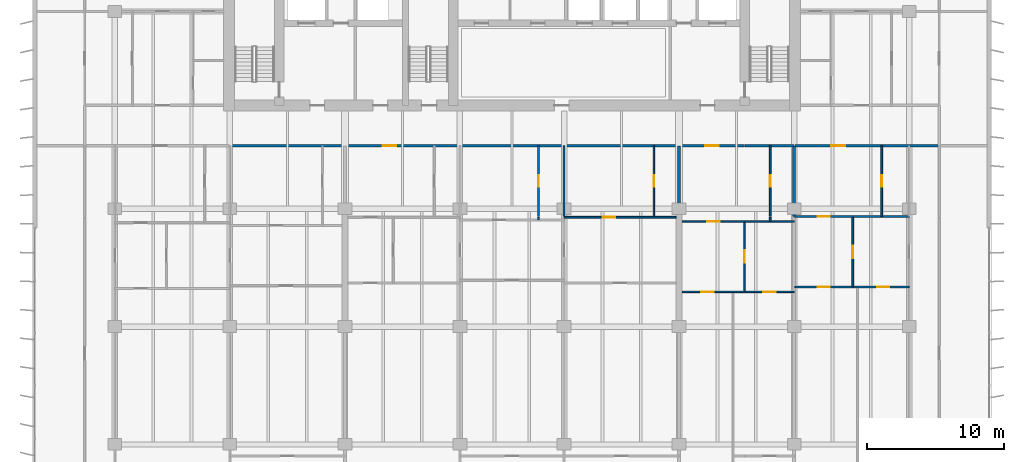
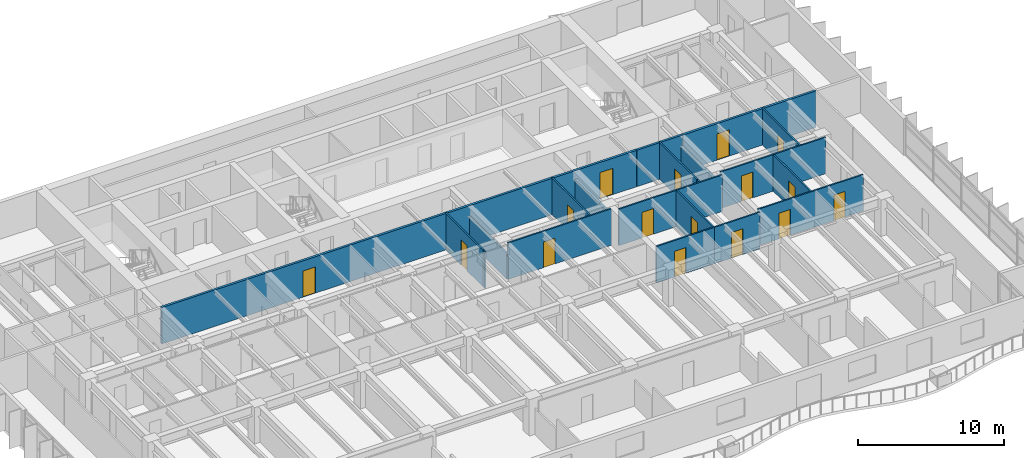
# One storey, part 8 of 15: 21 walls, 16 doors, 16 openings.
"""IFC4 building model written with IfcOpenShell, lengths in metres."""

from ifc_helpers import new_model, si_unit, direction, frame, frame_2d, origin, place, context, subcontext, project, spatial, rectangle, extrude, material, layer, layer_set, type_object, element, fill, save


model = new_model("IFC4")

# Units and contexts
model_context = context("Model", 3, precision=1e-05, world=origin(), true_north=direction((0.0, 1.0)))
body_context = subcontext(model_context, "Body", "Model", "MODEL_VIEW")
ifc_project = project(units=[si_unit("LENGTHUNIT", "METRE"), si_unit("AREAUNIT", "SQUARE_METRE"), si_unit("VOLUMEUNIT", "CUBIC_METRE"), si_unit("PLANEANGLEUNIT", "RADIAN"), si_unit("MASSUNIT", "GRAM", prefix="KILO")], contexts=[model_context])

# Site, building, storey
site_placement = place(None, origin())
site = spatial("IfcSite", under=ifc_project, at=site_placement, CompositionType="ELEMENT")
building_placement = place(site_placement, origin())
building = spatial("IfcBuilding", under=site, at=building_placement, Name="Caelmar Bay Residences", CompositionType="ELEMENT")
storey_placement = place(building_placement, frame((0.0, 0.0, 132.300048828125)))
storey = spatial("IfcBuildingStorey", under=building, at=storey_placement, Name="L36", CompositionType="ELEMENT", Elevation=132.300048828125)

# Wall, openings, doors
ifc_material_1 = material(Name="Double-stud acoustic fire-rated gypsum partition 180 mm")
ifc_layer_1 = layer(ifc_material_1, 0.179931640625)
ifc_layer_set_1 = layer_set([ifc_layer_1], Name="Double-stud acoustic fire-rated gypsum partition 180 mm")
wall_type_1 = type_object("IfcWallType", Name="W-COR-200", PredefinedType="PARTITIONING", material=ifc_layer_set_1)
wall_1_placement = place(storey_placement, frame((18.300048828125, 34.0, 0.0), z_axis=(0.0, 0.0, 1.0), x_axis=(1.0, 0.0, 0.0)))
wall_1 = element("IfcWall", 1, at=wall_1_placement, inside=storey, type_object=wall_type_1, Name="L36 Partition Wall H094", PredefinedType="PARTITIONING", context=body_context, shape_type="SweptSolid", body=[
    extrude(rectangle(XDim=37.5859375, YDim=0.179931640625, at=frame_2d((18.79296875, 0.0))), origin(), (0.0, 0.0, 1.0), 3.050048828125),
])
opening_1_placement = place(wall_1_placement, frame((11.16162109375, 0.0, 0.0)))
opening_1 = element("IfcOpeningElement", 2, at=opening_1_placement, cuts=wall_1, Name="Opening D-L36-131", PredefinedType="OPENING", context=body_context, shape_type="SweptSolid", body=[
    extrude(rectangle(XDim=1.0, YDim=2.199951171875, at=frame_2d((0.5, 1.10009765625))), frame((0.0, 0.099853515625, 0.0), z_axis=(0.0, -1.0, 0.0), x_axis=(1.0, 0.0, 0.0)), (0.0, 0.0, 1.0), 0.199951171875),
])
opening_2_placement = place(wall_1_placement, frame((34.693115234375, 0.0, 0.0)))
opening_2 = element("IfcOpeningElement", 3, at=opening_2_placement, cuts=wall_1, Name="Opening D-L36-146", PredefinedType="OPENING", context=body_context, shape_type="SweptSolid", body=[
    extrude(rectangle(XDim=1.0, YDim=2.199951171875, at=frame_2d((0.5, 1.10009765625))), frame((0.0, 0.099853515625, 0.0), z_axis=(0.0, -1.0, 0.0), x_axis=(1.0, 0.0, 0.0)), (0.0, 0.0, 1.0), 0.199951171875),
])
ifc_material_2 = material(Name="Fire-rated steel and walnut architectural door assembly", Category="steel")
ifc_layer_2 = layer(ifc_material_2, 0.050048828125)
ifc_layer_set_2 = layer_set([ifc_layer_2], Name="Fire-rated steel and walnut architectural door assembly")
door_type_1 = type_object("IfcDoorType", Name="D-UNIT-1000", OperationType="NOTDEFINED", PredefinedType="DOOR", material=ifc_layer_set_2)
door_1_placement = place(opening_1_placement, origin())
door_1 = element("IfcDoor", 4, at=door_1_placement, inside=storey, type_object=door_type_1, Name="L36 Residence 02 Apartment Hall Door", OperationType="SINGLE_SWING_RIGHT", OverallHeight=2.199951171875, OverallWidth=1.0, PredefinedType="DOOR", context=body_context, shape_type="SweptSolid", body=[
    extrude(rectangle(XDim=1.0, YDim=2.199951171875, at=frame_2d((0.5, 1.10009765625))), frame((0.0, 0.02490234375, 0.0), z_axis=(0.0, -1.0, 0.0), x_axis=(1.0, 0.0, 0.0)), (0.0, 0.0, 1.0), 0.050048828125),
])
fill(opening_1, door_1)
door_2_placement = place(opening_2_placement, origin())
door_2 = element("IfcDoor", 5, at=door_2_placement, inside=storey, type_object=door_type_1, Name="L36 Residence 03 Apartment Hall Door", OperationType="SINGLE_SWING_LEFT", OverallHeight=2.199951171875, OverallWidth=1.0, PredefinedType="DOOR", context=body_context, shape_type="SweptSolid", body=[
    extrude(rectangle(XDim=1.0, YDim=2.199951171875, at=frame_2d((0.5, 1.10009765625))), frame((0.0, 0.02490234375, 0.0), z_axis=(0.0, -1.0, 0.0), x_axis=(1.0, 0.0, 0.0)), (0.0, 0.0, 1.0), 0.050048828125),
])
fill(opening_2, door_2)

# Wall
wall_2_placement = place(storey_placement, frame((55.89990234375, 34.0, 0.0), z_axis=(0.0, 0.0, 1.0), x_axis=(1.0, 0.0, 0.0)))
element("IfcWall", 6, at=wall_2_placement, inside=storey, type_object=wall_type_1, Name="L36 Partition Wall H095", PredefinedType="PARTITIONING", context=body_context, shape_type="SweptSolid", body=[
    extrude(rectangle(XDim=3.60009765625, YDim=0.179931640625, at=frame_2d((1.800048828125, 0.0))), origin(), (0.0, 0.0, 1.0), 3.050048828125),
])

# Wall, opening, door
wall_3_placement = place(storey_placement, frame((59.550048828125, 34.0, 0.0), z_axis=(0.0, 0.0, 1.0), x_axis=(1.0, 0.0, 0.0)))
wall_3 = element("IfcWall", 7, at=wall_3_placement, inside=storey, type_object=wall_type_1, Name="L36 Partition Wall H096", PredefinedType="PARTITIONING", context=body_context, shape_type="SweptSolid", body=[
    extrude(rectangle(XDim=10.550048828125, YDim=0.179931640625, at=frame_2d((5.27490234375, 0.0))), origin(), (0.0, 0.0, 1.0), 3.050048828125),
])
opening_3_placement = place(wall_3_placement, frame((2.677001953125, 0.0, 0.0)))
opening_3 = element("IfcOpeningElement", 8, at=opening_3_placement, cuts=wall_3, Name="Opening D-L36-153", PredefinedType="OPENING", context=body_context, shape_type="SweptSolid", body=[
    extrude(rectangle(XDim=1.0, YDim=2.199951171875, at=frame_2d((0.5, 1.10009765625))), frame((0.0, 0.099853515625, 0.0), z_axis=(0.0, -1.0, 0.0), x_axis=(1.0, 0.0, 0.0)), (0.0, 0.0, 1.0), 0.199951171875),
])
door_3_placement = place(opening_3_placement, origin())
door_3 = element("IfcDoor", 9, at=door_3_placement, inside=storey, type_object=door_type_1, Name="L36 Residence 04 Apartment Hall Door", OperationType="SINGLE_SWING_RIGHT", OverallHeight=2.199951171875, OverallWidth=1.0, PredefinedType="DOOR", context=body_context, shape_type="SweptSolid", body=[
    extrude(rectangle(XDim=1.0, YDim=2.199951171875, at=frame_2d((0.5, 1.10009765625))), frame((0.0, 0.02490234375, 0.0), z_axis=(0.0, -1.0, 0.0), x_axis=(1.0, 0.0, 0.0)), (0.0, 0.0, 1.0), 0.050048828125),
])
fill(opening_3, door_3)

# Wall
ifc_material_3 = material(Name="Acoustic metal-stud gypsum partition 120 mm")
ifc_layer_3 = layer(ifc_material_3, 0.1201171875)
ifc_layer_set_3 = layer_set([ifc_layer_3], Name="Acoustic metal-stud gypsum partition 120 mm")
wall_type_2 = type_object("IfcWallType", Name="W-PRT-120", PredefinedType="PARTITIONING", material=ifc_layer_set_3)
wall_4_placement = place(storey_placement, frame((40.8369140625, 28.580078125, 0.0), z_axis=(0.0, 0.0, 1.0), x_axis=(0.0, 1.0, 0.0)))
element("IfcWall", 10, at=wall_4_placement, inside=storey, type_object=wall_type_2, Name="L36 Partition Wall V033", PredefinedType="PARTITIONING", context=body_context, shape_type="SweptSolid", body=[
    extrude(rectangle(XDim=0.199951171875, YDim=0.1201171875, at=frame_2d((0.10009765625, 0.0))), origin(), (0.0, 0.0, 1.0), 3.050048828125),
])

# Wall, opening, door
wall_5_placement = place(storey_placement, frame((40.8369140625, 28.840087890625, 0.0), z_axis=(0.0, 0.0, 1.0), x_axis=(0.0, 1.0, 0.0)))
wall_5 = element("IfcWall", 11, at=wall_5_placement, inside=storey, type_object=wall_type_2, Name="L36 Partition Wall V034", PredefinedType="PARTITIONING", context=body_context, shape_type="SweptSolid", body=[
    extrude(rectangle(XDim=5.159912109375, YDim=0.1201171875, at=frame_2d((2.580078125, 0.0))), origin(), (0.0, 0.0, 1.0), 3.050048828125),
])
opening_4_placement = place(wall_5_placement, frame((2.155029296875, 0.0, 0.0)))
opening_4 = element("IfcOpeningElement", 12, at=opening_4_placement, cuts=wall_5, Name="Opening D-L36-138", PredefinedType="OPENING", context=body_context, shape_type="SweptSolid", body=[
    extrude(rectangle(XDim=0.85009765625, YDim=2.10009765625, at=frame_2d((0.425048828125, 1.050048828125))), frame((0.0, 0.070068359375, 0.0), z_axis=(0.0, -1.0, 0.0), x_axis=(1.0, 0.0, 0.0)), (0.0, 0.0, 1.0), 0.14013671875),
])
ifc_material_4 = material(Name="Solid walnut timber interior door leaf and frame", Category="wood")
ifc_layer_4 = layer(ifc_material_4, 0.050048828125)
ifc_layer_set_4 = layer_set([ifc_layer_4], Name="Solid walnut timber interior door leaf and frame")
door_type_2 = type_object("IfcDoorType", Name="D-BATH-850", OperationType="NOTDEFINED", PredefinedType="DOOR", material=ifc_layer_set_4)
door_4_placement = place(opening_4_placement, origin())
door_4 = element("IfcDoor", 13, at=door_4_placement, inside=storey, type_object=door_type_2, Name="L36 Residence 02 En-Suite Bathroom 1 Door", OperationType="SINGLE_SWING_LEFT", OverallHeight=2.10009765625, OverallWidth=0.85009765625, PredefinedType="DOOR", context=body_context, shape_type="SweptSolid", body=[
    extrude(rectangle(XDim=0.85009765625, YDim=2.10009765625, at=frame_2d((0.425048828125, 1.050048828125))), frame((0.0, 0.02490234375, 0.0), z_axis=(0.0, -1.0, 0.0), x_axis=(1.0, 0.0, 0.0)), (0.0, 0.0, 1.0), 0.050048828125),
])
fill(opening_4, door_4)

# Wall
wall_6_placement = place(storey_placement, frame((42.699951171875, 28.840087890625, 0.0), z_axis=(0.0, 0.0, 1.0), x_axis=(0.0, 1.0, 0.0)))
element("IfcWall", 14, at=wall_6_placement, inside=storey, type_object=wall_type_2, Name="L36 Partition Wall V037", PredefinedType="PARTITIONING", context=body_context, shape_type="SweptSolid", body=[
    extrude(rectangle(XDim=5.159912109375, YDim=0.1201171875, at=frame_2d((2.580078125, 0.0))), origin(), (0.0, 0.0, 1.0), 2.174072265625),
])

# Wall, opening, door
wall_7_placement = place(storey_placement, frame((49.260986328125, 28.840087890625, 0.0), z_axis=(0.0, 0.0, 1.0), x_axis=(0.0, 1.0, 0.0)))
wall_7 = element("IfcWall", 15, at=wall_7_placement, inside=storey, type_object=wall_type_2, Name="L36 Partition Wall V041", PredefinedType="PARTITIONING", context=body_context, shape_type="SweptSolid", body=[
    extrude(rectangle(XDim=5.159912109375, YDim=0.1201171875, at=frame_2d((2.580078125, 0.0))), origin(), (0.0, 0.0, 1.0), 3.050048828125),
])
opening_5_placement = place(wall_7_placement, frame((2.155029296875, 0.0, 0.0)))
opening_5 = element("IfcOpeningElement", 16, at=opening_5_placement, cuts=wall_7, Name="Opening D-L36-143", PredefinedType="OPENING", context=body_context, shape_type="SweptSolid", body=[
    extrude(rectangle(XDim=0.85009765625, YDim=2.10009765625, at=frame_2d((0.425048828125, 1.050048828125))), frame((0.0, 0.070068359375, 0.0), z_axis=(0.0, -1.0, 0.0), x_axis=(1.0, 0.0, 0.0)), (0.0, 0.0, 1.0), 0.14013671875),
])
door_5_placement = place(opening_5_placement, origin())
door_5 = element("IfcDoor", 17, at=door_5_placement, inside=storey, type_object=door_type_2, Name="L36 Residence 02 En-Suite Bathroom 2 Door", OperationType="SINGLE_SWING_RIGHT", OverallHeight=2.10009765625, OverallWidth=0.85009765625, PredefinedType="DOOR", context=body_context, shape_type="SweptSolid", body=[
    extrude(rectangle(XDim=0.85009765625, YDim=2.10009765625, at=frame_2d((0.425048828125, 1.050048828125))), frame((0.0, 0.02490234375, 0.0), z_axis=(0.0, -1.0, 0.0), x_axis=(1.0, 0.0, 0.0)), (0.0, 0.0, 1.0), 0.050048828125),
])
fill(opening_5, door_5)

wall_8_placement = place(storey_placement, frame((55.885986328125, 23.330078125, 0.0), z_axis=(0.0, 0.0, 1.0), x_axis=(0.0, 1.0, 0.0)))
wall_8 = element("IfcWall", 18, at=wall_8_placement, inside=storey, type_object=wall_type_2, Name="L36 Partition Wall V050", PredefinedType="PARTITIONING", context=body_context, shape_type="SweptSolid", body=[
    extrude(rectangle(XDim=5.14990234375, YDim=0.1201171875, at=frame_2d((2.574951171875, 0.0))), origin(), (0.0, 0.0, 1.0), 3.050048828125),
])
opening_6_placement = place(wall_8_placement, frame((2.125, 0.0, 0.0)))
opening_6 = element("IfcOpeningElement", 19, at=opening_6_placement, cuts=wall_8, Name="Opening D-L36-149", PredefinedType="OPENING", context=body_context, shape_type="SweptSolid", body=[
    extrude(rectangle(XDim=0.89990234375, YDim=2.14990234375, at=frame_2d((0.449951171875, 1.074951171875))), frame((0.0, 0.070068359375, 0.0), z_axis=(0.0, -1.0, 0.0), x_axis=(1.0, 0.0, 0.0)), (0.0, 0.0, 1.0), 0.14013671875),
])
ifc_layer_5 = layer(ifc_material_4, 0.050048828125)
ifc_layer_set_5 = layer_set([ifc_layer_5], Name="Solid walnut timber interior door leaf and frame")
door_type_3 = type_object("IfcDoorType", Name="D-ROOM-900", OperationType="NOTDEFINED", PredefinedType="DOOR", material=ifc_layer_set_5)
door_6_placement = place(opening_6_placement, origin())
door_6 = element("IfcDoor", 20, at=door_6_placement, inside=storey, type_object=door_type_3, Name="L36 Residence 03 Private Reception Salon Door", OperationType="SINGLE_SWING_RIGHT", OverallHeight=2.14990234375, OverallWidth=0.89990234375, PredefinedType="DOOR", context=body_context, shape_type="SweptSolid", body=[
    extrude(rectangle(XDim=0.89990234375, YDim=2.14990234375, at=frame_2d((0.449951171875, 1.074951171875))), frame((0.0, 0.02490234375, 0.0), z_axis=(0.0, -1.0, 0.0), x_axis=(1.0, 0.0, 0.0)), (0.0, 0.0, 1.0), 0.050048828125),
])
fill(opening_6, door_6)

# Wall
wall_9_placement = place(storey_placement, frame((57.760986328125, 28.47998046875, 0.0), z_axis=(0.0, 0.0, 1.0), x_axis=(0.0, 1.0, 0.0)))
element("IfcWall", 21, at=wall_9_placement, inside=storey, type_object=wall_type_2, Name="L36 Partition Wall V052", PredefinedType="PARTITIONING", context=body_context, shape_type="SweptSolid", body=[
    extrude(rectangle(XDim=0.300048828125, YDim=0.1201171875, at=frame_2d((0.14990234375, 0.0))), origin(), (0.0, 0.0, 1.0), 3.050048828125),
])

# Wall, opening, door
wall_10_placement = place(storey_placement, frame((57.760986328125, 28.840087890625, 0.0), z_axis=(0.0, 0.0, 1.0), x_axis=(0.0, 1.0, 0.0)))
wall_10 = element("IfcWall", 22, at=wall_10_placement, inside=storey, type_object=wall_type_2, Name="L36 Partition Wall V053", PredefinedType="PARTITIONING", context=body_context, shape_type="SweptSolid", body=[
    extrude(rectangle(XDim=5.159912109375, YDim=0.1201171875, at=frame_2d((2.580078125, 0.0))), origin(), (0.0, 0.0, 1.0), 3.050048828125),
])
opening_7_placement = place(wall_10_placement, frame((2.155029296875, 0.0, 0.0)))
opening_7 = element("IfcOpeningElement", 23, at=opening_7_placement, cuts=wall_10, Name="Opening D-L36-147", PredefinedType="OPENING", context=body_context, shape_type="SweptSolid", body=[
    extrude(rectangle(XDim=0.85009765625, YDim=2.10009765625, at=frame_2d((0.425048828125, 1.050048828125))), frame((0.0, 0.070068359375, 0.0), z_axis=(0.0, -1.0, 0.0), x_axis=(1.0, 0.0, 0.0)), (0.0, 0.0, 1.0), 0.14013671875),
])
door_7_placement = place(opening_7_placement, origin())
door_7 = element("IfcDoor", 24, at=door_7_placement, inside=storey, type_object=door_type_2, Name="L36 Residence 03 Bathroom Door", OperationType="SINGLE_SWING_RIGHT", OverallHeight=2.10009765625, OverallWidth=0.85009765625, PredefinedType="DOOR", context=body_context, shape_type="SweptSolid", body=[
    extrude(rectangle(XDim=0.85009765625, YDim=2.10009765625, at=frame_2d((0.425048828125, 1.050048828125))), frame((0.0, 0.02490234375, 0.0), z_axis=(0.0, -1.0, 0.0), x_axis=(1.0, 0.0, 0.0)), (0.0, 0.0, 1.0), 0.050048828125),
])
fill(opening_7, door_7)

wall_11_placement = place(storey_placement, frame((63.785888671875, 23.68994140625, 0.0), z_axis=(0.0, 0.0, 1.0), x_axis=(0.0, 1.0, 0.0)))
wall_11 = element("IfcWall", 25, at=wall_11_placement, inside=storey, type_object=wall_type_2, Name="L36 Partition Wall V058", PredefinedType="PARTITIONING", context=body_context, shape_type="SweptSolid", body=[
    extrude(rectangle(XDim=5.090087890625, YDim=0.1201171875, at=frame_2d((2.544921875, 0.0))), origin(), (0.0, 0.0, 1.0), 3.050048828125),
])
opening_8_placement = place(wall_11_placement, frame((2.094970703125, 0.0, 0.0)))
opening_8 = element("IfcOpeningElement", 26, at=opening_8_placement, cuts=wall_11, Name="Opening D-L36-156", PredefinedType="OPENING", context=body_context, shape_type="SweptSolid", body=[
    extrude(rectangle(XDim=0.89990234375, YDim=2.14990234375, at=frame_2d((0.449951171875, 1.074951171875))), frame((0.0, 0.070068359375, 0.0), z_axis=(0.0, -1.0, 0.0), x_axis=(1.0, 0.0, 0.0)), (0.0, 0.0, 1.0), 0.14013671875),
])
door_8_placement = place(opening_8_placement, origin())
door_8 = element("IfcDoor", 27, at=door_8_placement, inside=storey, type_object=door_type_3, Name="L36 Residence 04 Private Reception Salon Door", OperationType="SINGLE_SWING_LEFT", OverallHeight=2.14990234375, OverallWidth=0.89990234375, PredefinedType="DOOR", context=body_context, shape_type="SweptSolid", body=[
    extrude(rectangle(XDim=0.89990234375, YDim=2.14990234375, at=frame_2d((0.449951171875, 1.074951171875))), frame((0.0, 0.02490234375, 0.0), z_axis=(0.0, -1.0, 0.0), x_axis=(1.0, 0.0, 0.0)), (0.0, 0.0, 1.0), 0.050048828125),
])
fill(opening_8, door_8)

wall_12_placement = place(storey_placement, frame((65.904052734375, 28.840087890625, 0.0), z_axis=(0.0, 0.0, 1.0), x_axis=(0.0, 1.0, 0.0)))
wall_12 = element("IfcWall", 28, at=wall_12_placement, inside=storey, type_object=wall_type_2, Name="L36 Partition Wall V061", PredefinedType="PARTITIONING", context=body_context, shape_type="SweptSolid", body=[
    extrude(rectangle(XDim=5.159912109375, YDim=0.1201171875, at=frame_2d((2.580078125, 0.0))), origin(), (0.0, 0.0, 1.0), 3.050048828125),
])
opening_9_placement = place(wall_12_placement, frame((2.155029296875, 0.0, 0.0)))
opening_9 = element("IfcOpeningElement", 29, at=opening_9_placement, cuts=wall_12, Name="Opening D-L36-154", PredefinedType="OPENING", context=body_context, shape_type="SweptSolid", body=[
    extrude(rectangle(XDim=0.85009765625, YDim=2.10009765625, at=frame_2d((0.425048828125, 1.050048828125))), frame((0.0, 0.070068359375, 0.0), z_axis=(0.0, -1.0, 0.0), x_axis=(1.0, 0.0, 0.0)), (0.0, 0.0, 1.0), 0.14013671875),
])
door_9_placement = place(opening_9_placement, origin())
door_9 = element("IfcDoor", 30, at=door_9_placement, inside=storey, type_object=door_type_2, Name="L36 Residence 04 Bathroom Door", OperationType="SINGLE_SWING_LEFT", OverallHeight=2.10009765625, OverallWidth=0.85009765625, PredefinedType="DOOR", context=body_context, shape_type="SweptSolid", body=[
    extrude(rectangle(XDim=0.85009765625, YDim=2.10009765625, at=frame_2d((0.425048828125, 1.050048828125))), frame((0.0, 0.02490234375, 0.0), z_axis=(0.0, -1.0, 0.0), x_axis=(1.0, 0.0, 0.0)), (0.0, 0.0, 1.0), 0.050048828125),
])
fill(opening_9, door_9)

wall_13_placement = place(storey_placement, frame((51.320068359375, 23.330078125, 0.0), z_axis=(0.0, 0.0, 1.0), x_axis=(1.0, 0.0, 0.0)))
wall_13 = element("IfcWall", 31, at=wall_13_placement, inside=storey, type_object=wall_type_2, Name="L36 Partition Wall H076", PredefinedType="PARTITIONING", context=body_context, shape_type="SweptSolid", body=[
    extrude(rectangle(XDim=4.56591796875, YDim=0.1201171875, at=frame_2d((2.282958984375, 0.0))), origin(), (0.0, 0.0, 1.0), 3.050048828125),
])
opening_10_placement = place(wall_13_placement, frame((1.4140625, 0.0, 0.0)))
opening_10 = element("IfcOpeningElement", 32, at=opening_10_placement, cuts=wall_13, Name="Opening D-L36-150", PredefinedType="OPENING", context=body_context, shape_type="SweptSolid", body=[
    extrude(rectangle(XDim=0.89990234375, YDim=2.14990234375, at=frame_2d((0.449951171875, 1.074951171875))), frame((0.0, 0.070068359375, 0.0), z_axis=(0.0, -1.0, 0.0), x_axis=(1.0, 0.0, 0.0)), (0.0, 0.0, 1.0), 0.14013671875),
])
door_10_placement = place(opening_10_placement, origin())
door_10 = element("IfcDoor", 33, at=door_10_placement, inside=storey, type_object=door_type_3, Name="L36 Residence 03 Living Room Door", OperationType="SINGLE_SWING_LEFT", OverallHeight=2.14990234375, OverallWidth=0.89990234375, PredefinedType="DOOR", context=body_context, shape_type="SweptSolid", body=[
    extrude(rectangle(XDim=0.89990234375, YDim=2.14990234375, at=frame_2d((0.449951171875, 1.074951171875))), frame((0.0, 0.02490234375, 0.0), z_axis=(0.0, -1.0, 0.0), x_axis=(1.0, 0.0, 0.0)), (0.0, 0.0, 1.0), 0.050048828125),
])
fill(opening_10, door_10)

wall_14_placement = place(storey_placement, frame((55.89990234375, 23.330078125, 0.0), z_axis=(0.0, 0.0, 1.0), x_axis=(1.0, 0.0, 0.0)))
wall_14 = element("IfcWall", 34, at=wall_14_placement, inside=storey, type_object=wall_type_2, Name="L36 Partition Wall H077", PredefinedType="PARTITIONING", context=body_context, shape_type="SweptSolid", body=[
    extrude(rectangle(XDim=3.60009765625, YDim=0.1201171875, at=frame_2d((1.800048828125, 0.0))), origin(), (0.0, 0.0, 1.0), 3.050048828125),
])
opening_11_placement = place(wall_14_placement, frame((1.35009765625, 0.0, 0.0)))
opening_11 = element("IfcOpeningElement", 35, at=opening_11_placement, cuts=wall_14, Name="Opening D-L36-151", PredefinedType="OPENING", context=body_context, shape_type="SweptSolid", body=[
    extrude(rectangle(XDim=0.89990234375, YDim=2.14990234375, at=frame_2d((0.449951171875, 1.074951171875))), frame((0.0, 0.070068359375, 0.0), z_axis=(0.0, -1.0, 0.0), x_axis=(1.0, 0.0, 0.0)), (0.0, 0.0, 1.0), 0.14013671875),
])
door_11_placement = place(opening_11_placement, origin())
door_11 = element("IfcDoor", 36, at=door_11_placement, inside=storey, type_object=door_type_3, Name="L36 Residence 03 Penthouse Sitting Room Door", OperationType="SINGLE_SWING_RIGHT", OverallHeight=2.14990234375, OverallWidth=0.89990234375, PredefinedType="DOOR", context=body_context, shape_type="SweptSolid", body=[
    extrude(rectangle(XDim=0.89990234375, YDim=2.14990234375, at=frame_2d((0.449951171875, 1.074951171875))), frame((0.0, 0.02490234375, 0.0), z_axis=(0.0, -1.0, 0.0), x_axis=(1.0, 0.0, 0.0)), (0.0, 0.0, 1.0), 0.050048828125),
])
fill(opening_11, door_11)

# Wall, openings, doors
wall_15_placement = place(storey_placement, frame((59.550048828125, 23.68994140625, 0.0), z_axis=(0.0, 0.0, 1.0), x_axis=(1.0, 0.0, 0.0)))
wall_15 = element("IfcWall", 37, at=wall_15_placement, inside=storey, type_object=wall_type_2, Name="L36 Partition Wall H079", PredefinedType="PARTITIONING", context=body_context, shape_type="SweptSolid", body=[
    extrude(rectangle(XDim=8.349853515625, YDim=0.1201171875, at=frame_2d((4.1748046875, 0.0))), origin(), (0.0, 0.0, 1.0), 3.050048828125),
])
opening_12_placement = place(wall_15_placement, frame((1.66796875, 0.0, 0.0)))
opening_12 = element("IfcOpeningElement", 38, at=opening_12_placement, cuts=wall_15, Name="Opening D-L36-157", PredefinedType="OPENING", context=body_context, shape_type="SweptSolid", body=[
    extrude(rectangle(XDim=0.89990234375, YDim=2.14990234375, at=frame_2d((0.449951171875, 1.074951171875))), frame((0.0, 0.070068359375, 0.0), z_axis=(0.0, -1.0, 0.0), x_axis=(1.0, 0.0, 0.0)), (0.0, 0.0, 1.0), 0.14013671875),
])
opening_13_placement = place(wall_15_placement, frame((6.010009765625, 0.0, 0.0)))
opening_13 = element("IfcOpeningElement", 39, at=opening_13_placement, cuts=wall_15, Name="Opening D-L36-158", PredefinedType="OPENING", context=body_context, shape_type="SweptSolid", body=[
    extrude(rectangle(XDim=0.89990234375, YDim=2.14990234375, at=frame_2d((0.449951171875, 1.074951171875))), frame((0.0, 0.070068359375, 0.0), z_axis=(0.0, -1.0, 0.0), x_axis=(1.0, 0.0, 0.0)), (0.0, 0.0, 1.0), 0.14013671875),
])
door_12_placement = place(opening_12_placement, origin())
door_12 = element("IfcDoor", 40, at=door_12_placement, inside=storey, type_object=door_type_3, Name="L36 Residence 04 Penthouse Living Salon Door", OperationType="SINGLE_SWING_RIGHT", OverallHeight=2.14990234375, OverallWidth=0.89990234375, PredefinedType="DOOR", context=body_context, shape_type="SweptSolid", body=[
    extrude(rectangle(XDim=0.89990234375, YDim=2.14990234375, at=frame_2d((0.449951171875, 1.074951171875))), frame((0.0, 0.02490234375, 0.0), z_axis=(0.0, -1.0, 0.0), x_axis=(1.0, 0.0, 0.0)), (0.0, 0.0, 1.0), 0.050048828125),
])
fill(opening_12, door_12)
door_13_placement = place(opening_13_placement, origin())
door_13 = element("IfcDoor", 41, at=door_13_placement, inside=storey, type_object=door_type_3, Name="L36 Residence 04 Penthouse Sitting Room Door", OperationType="SINGLE_SWING_LEFT", OverallHeight=2.14990234375, OverallWidth=0.89990234375, PredefinedType="DOOR", context=body_context, shape_type="SweptSolid", body=[
    extrude(rectangle(XDim=0.89990234375, YDim=2.14990234375, at=frame_2d((0.449951171875, 1.074951171875))), frame((0.0, 0.02490234375, 0.0), z_axis=(0.0, -1.0, 0.0), x_axis=(1.0, 0.0, 0.0)), (0.0, 0.0, 1.0), 0.050048828125),
])
fill(opening_13, door_13)

# Wall, opening, door
wall_16_placement = place(storey_placement, frame((51.320068359375, 28.47998046875, 0.0), z_axis=(0.0, 0.0, 1.0), x_axis=(1.0, 0.0, 0.0)))
wall_16 = element("IfcWall", 42, at=wall_16_placement, inside=storey, type_object=wall_type_2, Name="L36 Partition Wall H086", PredefinedType="PARTITIONING", context=body_context, shape_type="SweptSolid", body=[
    extrude(rectangle(XDim=4.56591796875, YDim=0.1201171875, at=frame_2d((2.282958984375, 0.0))), origin(), (0.0, 0.0, 1.0), 3.050048828125),
])
opening_14_placement = place(wall_16_placement, frame((1.8330078125, 0.0, 0.0)))
opening_14 = element("IfcOpeningElement", 43, at=opening_14_placement, cuts=wall_16, Name="Opening D-L36-148", PredefinedType="OPENING", context=body_context, shape_type="SweptSolid", body=[
    extrude(rectangle(XDim=0.89990234375, YDim=2.14990234375, at=frame_2d((0.449951171875, 1.074951171875))), frame((0.0, 0.070068359375, 0.0), z_axis=(0.0, -1.0, 0.0), x_axis=(1.0, 0.0, 0.0)), (0.0, 0.0, 1.0), 0.14013671875),
])
door_14_placement = place(opening_14_placement, origin())
door_14 = element("IfcDoor", 44, at=door_14_placement, inside=storey, type_object=door_type_3, Name="L36 Residence 03 Kitchen Door", OperationType="SINGLE_SWING_LEFT", OverallHeight=2.14990234375, OverallWidth=0.89990234375, PredefinedType="DOOR", context=body_context, shape_type="SweptSolid", body=[
    extrude(rectangle(XDim=0.89990234375, YDim=2.14990234375, at=frame_2d((0.449951171875, 1.074951171875))), frame((0.0, 0.02490234375, 0.0), z_axis=(0.0, -1.0, 0.0), x_axis=(1.0, 0.0, 0.0)), (0.0, 0.0, 1.0), 0.050048828125),
])
fill(opening_14, door_14)

# Wall
wall_17_placement = place(storey_placement, frame((55.89990234375, 28.47998046875, 0.0), z_axis=(0.0, 0.0, 1.0), x_axis=(1.0, 0.0, 0.0)))
element("IfcWall", 45, at=wall_17_placement, inside=storey, type_object=wall_type_2, Name="L36 Partition Wall H087", PredefinedType="PARTITIONING", context=body_context, shape_type="SweptSolid", body=[
    extrude(rectangle(XDim=3.60009765625, YDim=0.1201171875, at=frame_2d((1.800048828125, 0.0))), origin(), (0.0, 0.0, 1.0), 3.050048828125),
])

# Wall, opening, door
wall_18_placement = place(storey_placement, frame((42.699951171875, 28.780029296875, 0.0), z_axis=(0.0, 0.0, 1.0), x_axis=(1.0, 0.0, 0.0)))
wall_18 = element("IfcWall", 46, at=wall_18_placement, inside=storey, type_object=wall_type_2, Name="L36 Partition Wall H090", PredefinedType="PARTITIONING", context=body_context, shape_type="SweptSolid", body=[
    extrude(rectangle(XDim=8.179931640625, YDim=0.1201171875, at=frame_2d((4.08984375, 0.0))), origin(), (0.0, 0.0, 1.0), 3.050048828125),
])
opening_15_placement = place(wall_18_placement, frame((2.83056640625, 0.0, 0.0)))
opening_15 = element("IfcOpeningElement", 47, at=opening_15_placement, cuts=wall_18, Name="Opening D-L36-142", PredefinedType="OPENING", context=body_context, shape_type="SweptSolid", body=[
    extrude(rectangle(XDim=0.89990234375, YDim=2.14990234375, at=frame_2d((0.449951171875, 1.074951171875))), frame((0.0, 0.070068359375, 0.0), z_axis=(0.0, -1.0, 0.0), x_axis=(1.0, 0.0, 0.0)), (0.0, 0.0, 1.0), 0.14013671875),
])
door_15_placement = place(opening_15_placement, origin())
door_15 = element("IfcDoor", 48, at=door_15_placement, inside=storey, type_object=door_type_3, Name="L36 Residence 02 Private Reception Room 2 Door", OperationType="SINGLE_SWING_LEFT", OverallHeight=2.14990234375, OverallWidth=0.89990234375, PredefinedType="DOOR", context=body_context, shape_type="SweptSolid", body=[
    extrude(rectangle(XDim=0.89990234375, YDim=2.14990234375, at=frame_2d((0.449951171875, 1.074951171875))), frame((0.0, 0.02490234375, 0.0), z_axis=(0.0, -1.0, 0.0), x_axis=(1.0, 0.0, 0.0)), (0.0, 0.0, 1.0), 0.050048828125),
])
fill(opening_15, door_15)

wall_19_placement = place(storey_placement, frame((59.550048828125, 28.840087890625, 0.0), z_axis=(0.0, 0.0, 1.0), x_axis=(1.0, 0.0, 0.0)))
wall_19 = element("IfcWall", 49, at=wall_19_placement, inside=storey, type_object=wall_type_2, Name="L36 Partition Wall H091", PredefinedType="PARTITIONING", context=body_context, shape_type="SweptSolid", body=[
    extrude(rectangle(XDim=8.349853515625, YDim=0.1201171875, at=frame_2d((4.1748046875, 0.0))), origin(), (0.0, 0.0, 1.0), 3.050048828125),
])
opening_16_placement = place(wall_19_placement, frame((1.66796875, 0.0, 0.0)))
opening_16 = element("IfcOpeningElement", 50, at=opening_16_placement, cuts=wall_19, Name="Opening D-L36-155", PredefinedType="OPENING", context=body_context, shape_type="SweptSolid", body=[
    extrude(rectangle(XDim=0.89990234375, YDim=2.14990234375, at=frame_2d((0.449951171875, 1.074951171875))), frame((0.0, 0.070068359375, 0.0), z_axis=(0.0, -1.0, 0.0), x_axis=(1.0, 0.0, 0.0)), (0.0, 0.0, 1.0), 0.14013671875),
])
door_16_placement = place(opening_16_placement, origin())
door_16 = element("IfcDoor", 51, at=door_16_placement, inside=storey, type_object=door_type_3, Name="L36 Residence 04 Kitchen Door", OperationType="SINGLE_SWING_RIGHT", OverallHeight=2.14990234375, OverallWidth=0.89990234375, PredefinedType="DOOR", context=body_context, shape_type="SweptSolid", body=[
    extrude(rectangle(XDim=0.89990234375, YDim=2.14990234375, at=frame_2d((0.449951171875, 1.074951171875))), frame((0.0, 0.02490234375, 0.0), z_axis=(0.0, -1.0, 0.0), x_axis=(1.0, 0.0, 0.0)), (0.0, 0.0, 1.0), 0.050048828125),
])
fill(opening_16, door_16)

# Walls
ifc_material_5 = material(Name="Acoustic twin-stud fire-rated inter-tenancy partition 200 mm")
ifc_layer_6 = layer(ifc_material_5, 0.199951171875)
ifc_layer_set_6 = layer_set([ifc_layer_6], Name="Acoustic twin-stud fire-rated inter-tenancy partition 200 mm")
wall_type_3 = type_object("IfcWallType", Name="W-PTY-200", PredefinedType="PARTITIONING", material=ifc_layer_set_6)
wall_20_placement = place(storey_placement, frame((51.10009765625, 29.405029296875, 0.0), z_axis=(0.0, 0.0, 1.0), x_axis=(0.0, 1.0, 0.0)))
element("IfcWall", 52, at=wall_20_placement, inside=storey, type_object=wall_type_3, Name="L36 Partition Wall V046", PredefinedType="PARTITIONING", context=body_context, shape_type="SweptSolid", body=[
    extrude(rectangle(XDim=4.594970703125, YDim=0.199951171875, at=frame_2d((2.29736328125, 0.0))), origin(), (0.0, 0.0, 1.0), 2.3349609375),
])
wall_21_placement = place(storey_placement, frame((59.5, 28.840087890625, 0.0), z_axis=(0.0, 0.0, 1.0), x_axis=(0.0, 1.0, 0.0)))
element("IfcWall", 53, at=wall_21_placement, inside=storey, type_object=wall_type_3, Name="L36 Partition Wall V056", PredefinedType="PARTITIONING", context=body_context, shape_type="SweptSolid", body=[
    extrude(rectangle(XDim=5.159912109375, YDim=0.199951171875, at=frame_2d((2.580078125, 0.0))), origin(), (0.0, 0.0, 1.0), 2.174072265625),
])

save(model, "model.ifc")
